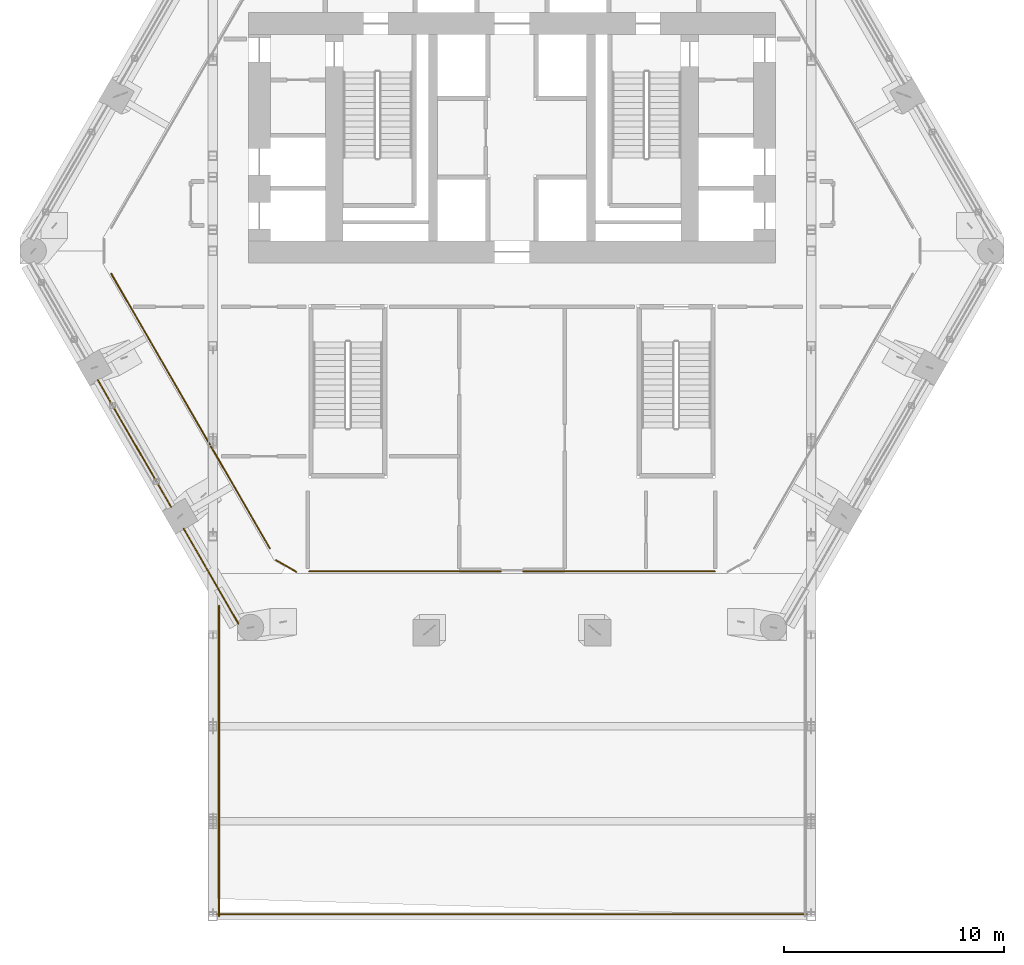
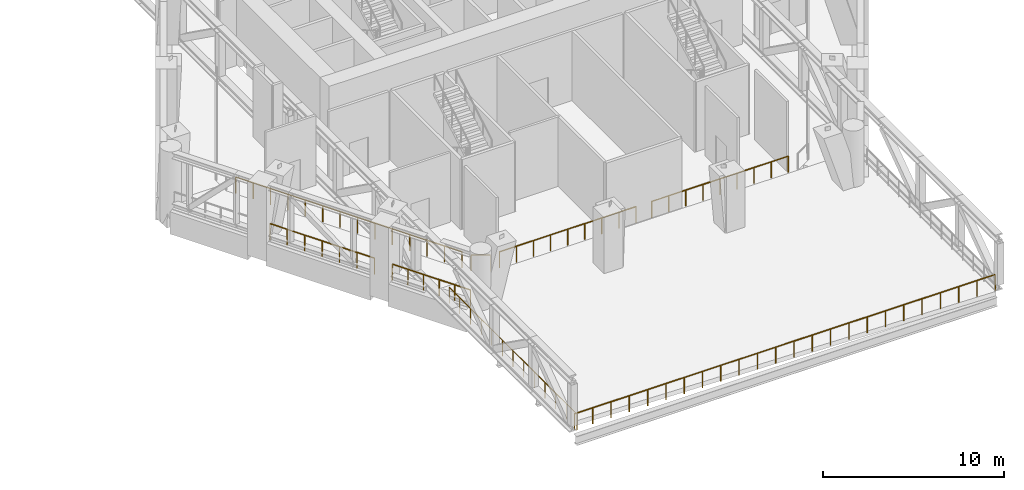
# One storey, part 18 of 22: 8 railings.
"""IFC4 building model written with IfcOpenShell, lengths in metres."""

from ifc_helpers import new_model, si_unit, direction, frame, origin, origin_2d, place, context, subcontext, project, spatial, circle, extrude, material, type_object, element, save


model = new_model("IFC4")

# Units and contexts
model_context = context("Model", 3, precision=1e-05, world=origin(), true_north=direction((0.0, 1.0)))
body_context = subcontext(model_context, "Body", "Model", "MODEL_VIEW")
ifc_project = project(units=[si_unit("LENGTHUNIT", "METRE"), si_unit("AREAUNIT", "SQUARE_METRE"), si_unit("VOLUMEUNIT", "CUBIC_METRE"), si_unit("PLANEANGLEUNIT", "RADIAN"), si_unit("MASSUNIT", "GRAM", prefix="KILO")], contexts=[model_context])

# Site, building, storey
site_placement = place(None, origin())
site = spatial("IfcSite", under=ifc_project, at=site_placement, CompositionType="ELEMENT")
building_placement = place(site_placement, origin())
building = spatial("IfcBuilding", under=site, at=building_placement, Name="Ostrander Bayou Hotel Tower", CompositionType="ELEMENT")
storey_placement = place(building_placement, frame((0.0, 0.0, 146.0)))
storey = spatial("IfcBuildingStorey", under=building, at=storey_placement, Name="L36", CompositionType="ELEMENT", Elevation=146.0)

# Railings
ifc_material = material(Name="Stainless steel and clear glass", Category="steel")
railing_type = type_object("IfcRailingType", Name="GR1 guard 1100 mm", PredefinedType="GUARDRAIL", material=ifc_material)
railing_1_placement = place(storey_placement, frame((-18.85888671875, -7.035400390625, 0.0)))
element("IfcRailing", 1, at=railing_1_placement, inside=storey, type_object=railing_type, Name="GR1 L36 SW-2 open band guard", PredefinedType="GUARDRAIL", context=body_context, shape_type="SweptSolid", body=[
    extrude(circle(Radius=0.02490234375, at=origin_2d()), frame((0.0, 0.0, 1.0751953125), z_axis=(0.499999023957, -0.866025967302, 0.0), x_axis=(0.866025967302, 0.499999023957, 0.0)), (0.0, 0.0, 1.0), 6.67333984375),
    extrude(circle(Radius=0.02001953125, at=origin_2d()), origin(), (0.0, 0.0, 1.0), 1.050048828125),
    extrude(circle(Radius=0.02001953125, at=origin_2d()), frame((0.55615234375, -0.963134765625, 0.0)), (0.0, 0.0, 1.0), 1.050048828125),
    extrude(circle(Radius=0.02001953125, at=origin_2d()), frame((1.1123046875, -1.926513671875, 0.0)), (0.0, 0.0, 1.0), 1.050048828125),
    extrude(circle(Radius=0.02001953125, at=origin_2d()), frame((1.66845703125, -2.8896484375, 0.0)), (0.0, 0.0, 1.0), 1.050048828125),
    extrude(circle(Radius=0.02001953125, at=origin_2d()), frame((2.224365234375, -3.852783203125, 0.0)), (0.0, 0.0, 1.0), 1.050048828125),
    extrude(circle(Radius=0.02001953125, at=origin_2d()), frame((2.780517578125, -4.816162109375, 0.0)), (0.0, 0.0, 1.0), 1.050048828125),
    extrude(circle(Radius=0.02001953125, at=origin_2d()), frame((3.336669921875, -5.779296875, 0.0)), (0.0, 0.0, 1.0), 1.050048828125),
])
railing_2_placement = place(storey_placement, frame((-14.9521484375, -13.802001953125, 0.0)))
element("IfcRailing", 2, at=railing_2_placement, inside=storey, type_object=railing_type, Name="GR1 L36 SW-3 open band guard", PredefinedType="GUARDRAIL", context=body_context, shape_type="SweptSolid", body=[
    extrude(circle(Radius=0.02490234375, at=origin_2d()), frame((0.0, 0.0, 1.0751953125), z_axis=(0.499974782844, -0.866039962427, 0.0), x_axis=(0.866039962427, 0.499974782844, 0.0)), (0.0, 0.0, 1.0), 4.997314453125),
    extrude(circle(Radius=0.02001953125, at=origin_2d()), origin(), (0.0, 0.0, 1.0), 1.050048828125),
    extrude(circle(Radius=0.02001953125, at=origin_2d()), frame((0.499755859375, -0.865478515625, 0.0)), (0.0, 0.0, 1.0), 1.050048828125),
    extrude(circle(Radius=0.02001953125, at=origin_2d()), frame((0.99951171875, -1.731201171875, 0.0)), (0.0, 0.0, 1.0), 1.050048828125),
    extrude(circle(Radius=0.02001953125, at=origin_2d()), frame((1.4990234375, -2.5966796875, 0.0)), (0.0, 0.0, 1.0), 1.050048828125),
    extrude(circle(Radius=0.02001953125, at=origin_2d()), frame((1.998779296875, -3.46240234375, 0.0)), (0.0, 0.0, 1.0), 1.050048828125),
    extrude(circle(Radius=0.02001953125, at=origin_2d()), frame((2.49853515625, -4.327880859375, 0.0)), (0.0, 0.0, 1.0), 1.050048828125),
])
railing_3_placement = place(storey_placement, frame((-10.746826171875, -15.236083984375, 0.0)))
element("IfcRailing", 3, at=railing_3_placement, inside=storey, type_object=railing_type, Name="GR1 L36 corner guard 3", PredefinedType="GUARDRAIL", context=body_context, shape_type="SweptSolid", body=[
    extrude(circle(Radius=0.02490234375, at=origin_2d()), frame((0.0, 0.0, 1.0751953125), z_axis=(0.866048165231, -0.499960573946, 0.0), x_axis=(0.499960573946, 0.866048165231, 0.0)), (0.0, 0.0, 1.0), 1.06494140625),
    extrude(circle(Radius=0.02001953125, at=origin_2d()), origin(), (0.0, 0.0, 1.0), 1.050048828125),
    extrude(circle(Radius=0.02001953125, at=origin_2d()), frame((0.92236328125, -0.532470703125, 0.0)), (0.0, 0.0, 1.0), 1.050048828125),
])
railing_4_placement = place(storey_placement, frame((-11.024658203125, -14.704833984375, 0.0)))
element("IfcRailing", 4, at=railing_4_placement, inside=storey, type_object=railing_type, Name="GR1 L36 edge guard 5", PredefinedType="GUARDRAIL", context=body_context, shape_type="SweptSolid", body=[
    extrude(circle(Radius=0.02490234375, at=origin_2d()), frame((0.0, 0.0, 1.0751953125), z_axis=(-0.50000189582, 0.866024309229, 0.0), x_axis=(-0.866024309229, -0.50000189582, 0.0)), (0.0, 0.0, 1.0), 14.44482421875),
    extrude(circle(Radius=0.02001953125, at=origin_2d()), origin(), (0.0, 0.0, 1.0), 1.050048828125),
    extrude(circle(Radius=0.02001953125, at=origin_2d()), frame((-0.5556640625, 0.962158203125, 0.0)), (0.0, 0.0, 1.0), 1.050048828125),
    extrude(circle(Radius=0.02001953125, at=origin_2d()), frame((-1.111083984375, 1.924560546875, 0.0)), (0.0, 0.0, 1.0), 1.050048828125),
    extrude(circle(Radius=0.02001953125, at=origin_2d()), frame((-1.666748046875, 2.88671875, 0.0)), (0.0, 0.0, 1.0), 1.050048828125),
    extrude(circle(Radius=0.02001953125, at=origin_2d()), frame((-2.22216796875, 3.84912109375, 0.0)), (0.0, 0.0, 1.0), 1.050048828125),
    extrude(circle(Radius=0.02001953125, at=origin_2d()), frame((-2.77783203125, 4.811279296875, 0.0)), (0.0, 0.0, 1.0), 1.050048828125),
    extrude(circle(Radius=0.02001953125, at=origin_2d()), frame((-3.33349609375, 5.773681640625, 0.0)), (0.0, 0.0, 1.0), 1.050048828125),
    extrude(circle(Radius=0.02001953125, at=origin_2d()), frame((-3.888916015625, 6.73583984375, 0.0)), (0.0, 0.0, 1.0), 1.050048828125),
    extrude(circle(Radius=0.02001953125, at=origin_2d()), frame((-4.444580078125, 7.6982421875, 0.0)), (0.0, 0.0, 1.0), 1.050048828125),
    extrude(circle(Radius=0.02001953125, at=origin_2d()), frame((-5.000244140625, 8.660400390625, 0.0)), (0.0, 0.0, 1.0), 1.050048828125),
    extrude(circle(Radius=0.02001953125, at=origin_2d()), frame((-5.5556640625, 9.622802734375, 0.0)), (0.0, 0.0, 1.0), 1.050048828125),
    extrude(circle(Radius=0.02001953125, at=origin_2d()), frame((-6.111328125, 10.5849609375, 0.0)), (0.0, 0.0, 1.0), 1.050048828125),
    extrude(circle(Radius=0.02001953125, at=origin_2d()), frame((-6.666748046875, 11.54736328125, 0.0)), (0.0, 0.0, 1.0), 1.050048828125),
    extrude(circle(Radius=0.02001953125, at=origin_2d()), frame((-7.222412109375, 12.509521484375, 0.0)), (0.0, 0.0, 1.0), 1.050048828125),
])
railing_5_placement = place(storey_placement, frame((-13.34228515625, -17.3173828125, 0.0)))
element("IfcRailing", 5, at=railing_5_placement, inside=storey, type_object=railing_type, Name="GR1 bar roof guard SB3 2", PredefinedType="GUARDRAIL", context=body_context, shape_type="SweptSolid", body=[
    extrude(circle(Radius=0.02490234375, at=origin_2d()), frame((0.0, 0.0, 1.0751953125), z_axis=(0.0, -1.0, 0.0), x_axis=(1.0, 0.0, 0.0)), (0.0, 0.0, 1.0), 14.132568359375),
    extrude(circle(Radius=0.02001953125, at=origin_2d()), origin(), (0.0, 0.0, 1.0), 1.050048828125),
    extrude(circle(Radius=0.02001953125, at=origin_2d()), frame((0.0, -1.177734375, 0.0)), (0.0, 0.0, 1.0), 1.050048828125),
    extrude(circle(Radius=0.02001953125, at=origin_2d()), frame((0.0, -2.35546875, 0.0)), (0.0, 0.0, 1.0), 1.050048828125),
    extrude(circle(Radius=0.02001953125, at=origin_2d()), frame((0.0, -3.533203125, 0.0)), (0.0, 0.0, 1.0), 1.050048828125),
    extrude(circle(Radius=0.02001953125, at=origin_2d()), frame((0.0, -4.7109375, 0.0)), (0.0, 0.0, 1.0), 1.050048828125),
    extrude(circle(Radius=0.02001953125, at=origin_2d()), frame((0.0, -5.888671875, 0.0)), (0.0, 0.0, 1.0), 1.050048828125),
    extrude(circle(Radius=0.02001953125, at=origin_2d()), frame((0.0, -7.06640625, 0.0)), (0.0, 0.0, 1.0), 1.050048828125),
    extrude(circle(Radius=0.02001953125, at=origin_2d()), frame((0.0, -8.243896484375, 0.0)), (0.0, 0.0, 1.0), 1.050048828125),
    extrude(circle(Radius=0.02001953125, at=origin_2d()), frame((0.0, -9.421630859375, 0.0)), (0.0, 0.0, 1.0), 1.050048828125),
    extrude(circle(Radius=0.02001953125, at=origin_2d()), frame((0.0, -10.599365234375, 0.0)), (0.0, 0.0, 1.0), 1.050048828125),
    extrude(circle(Radius=0.02001953125, at=origin_2d()), frame((0.0, -11.777099609375, 0.0)), (0.0, 0.0, 1.0), 1.050048828125),
    extrude(circle(Radius=0.02001953125, at=origin_2d()), frame((0.0, -12.954833984375, 0.0)), (0.0, 0.0, 1.0), 1.050048828125),
    extrude(circle(Radius=0.02001953125, at=origin_2d()), frame((0.0, -14.132568359375, 0.0)), (0.0, 0.0, 1.0), 1.050048828125),
])
railing_6_placement = place(storey_placement, frame((-13.442138671875, -31.35009765625, 0.0)))
element("IfcRailing", 6, at=railing_6_placement, inside=storey, type_object=railing_type, Name="GR1 bar roof guard SB3 3", PredefinedType="GUARDRAIL", context=body_context, shape_type="SweptSolid", body=[
    extrude(circle(Radius=0.02490234375, at=origin_2d()), frame((0.0, 0.0, 1.0751953125), z_axis=(1.0, 0.0, 0.0), x_axis=(0.0, 1.0, 0.0)), (0.0, 0.0, 1.0), 26.88427734375),
    extrude(circle(Radius=0.02001953125, at=origin_2d()), origin(), (0.0, 0.0, 1.0), 1.050048828125),
    extrude(circle(Radius=0.02001953125, at=origin_2d()), frame((1.1689453125, 0.0, 0.0)), (0.0, 0.0, 1.0), 1.050048828125),
    extrude(circle(Radius=0.02001953125, at=origin_2d()), frame((2.337646484375, 0.0, 0.0)), (0.0, 0.0, 1.0), 1.050048828125),
    extrude(circle(Radius=0.02001953125, at=origin_2d()), frame((3.506591796875, 0.0, 0.0)), (0.0, 0.0, 1.0), 1.050048828125),
    extrude(circle(Radius=0.02001953125, at=origin_2d()), frame((4.675537109375, 0.0, 0.0)), (0.0, 0.0, 1.0), 1.050048828125),
    extrude(circle(Radius=0.02001953125, at=origin_2d()), frame((5.844482421875, 0.0, 0.0)), (0.0, 0.0, 1.0), 1.050048828125),
    extrude(circle(Radius=0.02001953125, at=origin_2d()), frame((7.01318359375, 0.0, 0.0)), (0.0, 0.0, 1.0), 1.050048828125),
    extrude(circle(Radius=0.02001953125, at=origin_2d()), frame((8.18212890625, 0.0, 0.0)), (0.0, 0.0, 1.0), 1.050048828125),
    extrude(circle(Radius=0.02001953125, at=origin_2d()), frame((9.35107421875, 0.0, 0.0)), (0.0, 0.0, 1.0), 1.050048828125),
    extrude(circle(Radius=0.02001953125, at=origin_2d()), frame((10.52001953125, 0.0, 0.0)), (0.0, 0.0, 1.0), 1.050048828125),
    extrude(circle(Radius=0.02001953125, at=origin_2d()), frame((11.688720703125, 0.0, 0.0)), (0.0, 0.0, 1.0), 1.050048828125),
    extrude(circle(Radius=0.02001953125, at=origin_2d()), frame((12.857666015625, 0.0, 0.0)), (0.0, 0.0, 1.0), 1.050048828125),
    extrude(circle(Radius=0.02001953125, at=origin_2d()), frame((14.026611328125, 0.0, 0.0)), (0.0, 0.0, 1.0), 1.050048828125),
    extrude(circle(Radius=0.02001953125, at=origin_2d()), frame((15.195556640625, 0.0, 0.0)), (0.0, 0.0, 1.0), 1.050048828125),
    extrude(circle(Radius=0.02001953125, at=origin_2d()), frame((16.3642578125, 0.0, 0.0)), (0.0, 0.0, 1.0), 1.050048828125),
    extrude(circle(Radius=0.02001953125, at=origin_2d()), frame((17.533203125, 0.0, 0.0)), (0.0, 0.0, 1.0), 1.050048828125),
    extrude(circle(Radius=0.02001953125, at=origin_2d()), frame((18.7021484375, 0.0, 0.0)), (0.0, 0.0, 1.0), 1.050048828125),
    extrude(circle(Radius=0.02001953125, at=origin_2d()), frame((19.87109375, 0.0, 0.0)), (0.0, 0.0, 1.0), 1.050048828125),
    extrude(circle(Radius=0.02001953125, at=origin_2d()), frame((21.039794921875, 0.0, 0.0)), (0.0, 0.0, 1.0), 1.050048828125),
    extrude(circle(Radius=0.02001953125, at=origin_2d()), frame((22.208740234375, 0.0, 0.0)), (0.0, 0.0, 1.0), 1.050048828125),
    extrude(circle(Radius=0.02001953125, at=origin_2d()), frame((23.377685546875, 0.0, 0.0)), (0.0, 0.0, 1.0), 1.050048828125),
    extrude(circle(Radius=0.02001953125, at=origin_2d()), frame((24.546630859375, 0.0, 0.0)), (0.0, 0.0, 1.0), 1.050048828125),
    extrude(circle(Radius=0.02001953125, at=origin_2d()), frame((25.71533203125, 0.0, 0.0)), (0.0, 0.0, 1.0), 1.050048828125),
    extrude(circle(Radius=0.02001953125, at=origin_2d()), frame((26.88427734375, 0.0, 0.0)), (0.0, 0.0, 1.0), 1.050048828125),
])
for number, where, name in (
    (7, (9.2255859375, -15.743408203125, 0.0), "GR1 L36 edge guard 4"),
    (8, (-0.5, -15.743408203125, 0.0), "GR1 L36 edge guard 4"),
):
    element("IfcRailing", number, at=place(storey_placement, frame(where)), inside=storey, type_object=railing_type, Name=name, PredefinedType="GUARDRAIL", context=body_context, shape_type="SweptSolid", body=[
        extrude(circle(Radius=0.02490234375, at=origin_2d()), frame((0.0, 0.0, 1.0751953125), z_axis=(-1.0, 0.0, 0.0), x_axis=(0.0, -1.0, 0.0)), (0.0, 0.0, 1.0), 8.7255859375),
        extrude(circle(Radius=0.02001953125, at=origin_2d()), origin(), (0.0, 0.0, 1.0), 1.050048828125),
        extrude(circle(Radius=0.02001953125, at=origin_2d()), frame((-1.0908203125, 0.0, 0.0)), (0.0, 0.0, 1.0), 1.050048828125),
        extrude(circle(Radius=0.02001953125, at=origin_2d()), frame((-2.181396484375, 0.0, 0.0)), (0.0, 0.0, 1.0), 1.050048828125),
        extrude(circle(Radius=0.02001953125, at=origin_2d()), frame((-3.27197265625, 0.0, 0.0)), (0.0, 0.0, 1.0), 1.050048828125),
        extrude(circle(Radius=0.02001953125, at=origin_2d()), frame((-4.36279296875, 0.0, 0.0)), (0.0, 0.0, 1.0), 1.050048828125),
        extrude(circle(Radius=0.02001953125, at=origin_2d()), frame((-5.45361328125, 0.0, 0.0)), (0.0, 0.0, 1.0), 1.050048828125),
        extrude(circle(Radius=0.02001953125, at=origin_2d()), frame((-6.544189453125, 0.0, 0.0)), (0.0, 0.0, 1.0), 1.050048828125),
        extrude(circle(Radius=0.02001953125, at=origin_2d()), frame((-7.634765625, 0.0, 0.0)), (0.0, 0.0, 1.0), 1.050048828125),
        extrude(circle(Radius=0.02001953125, at=origin_2d()), frame((-8.7255859375, 0.0, 0.0)), (0.0, 0.0, 1.0), 1.050048828125),
    ])

save(model, "model.ifc")
